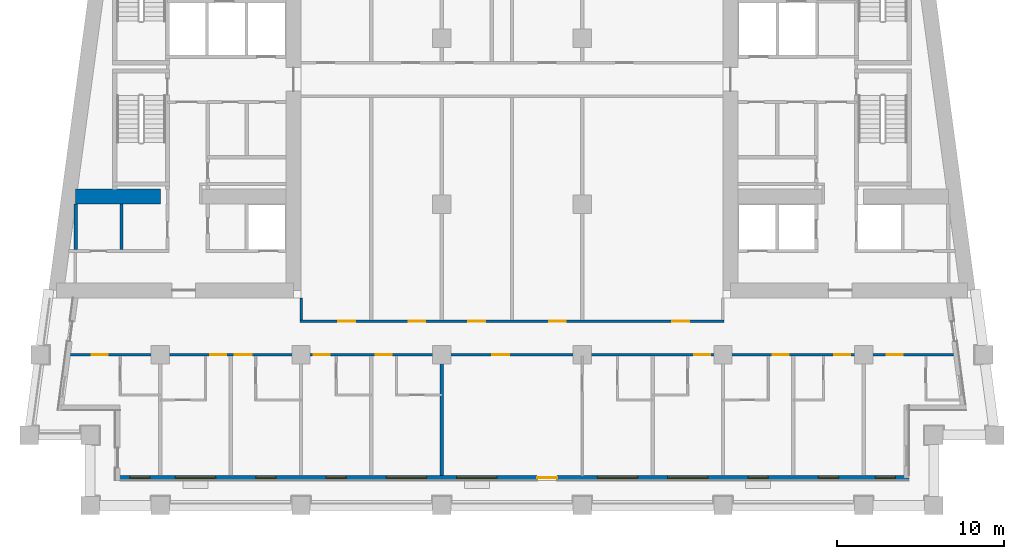
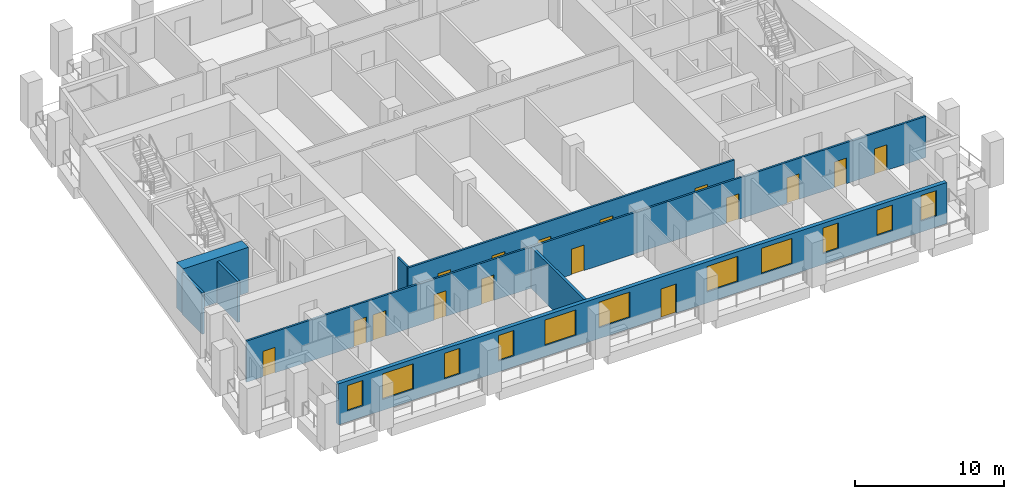
# One storey, part 3 of 13: 16 doors, 11 windows, 8 walls, 27 openings.
"""IFC4 building model written with IfcOpenShell, lengths in metres."""

from ifc_helpers import new_model, si_unit, direction, frame, frame_2d, origin, place, context, subcontext, project, spatial, rectangle, extrude, material, layer, layer_set, type_object, element, fill, save


model = new_model("IFC4")

# Units and contexts
model_context = context("Model", 3, precision=1e-05, world=origin(), true_north=direction((0.0, 1.0)))
body_context = subcontext(model_context, "Body", "Model", "MODEL_VIEW")
ifc_project = project(units=[si_unit("LENGTHUNIT", "METRE"), si_unit("AREAUNIT", "SQUARE_METRE"), si_unit("VOLUMEUNIT", "CUBIC_METRE"), si_unit("PLANEANGLEUNIT", "RADIAN"), si_unit("MASSUNIT", "GRAM", prefix="KILO")], contexts=[model_context])

# Site, building, storey
site_placement = place(None, origin())
site = spatial("IfcSite", under=ifc_project, at=site_placement, CompositionType="ELEMENT")
building_placement = place(site_placement, origin())
building = spatial("IfcBuilding", under=site, at=building_placement, Name="Candeia Pilgrim Tower and Theatre", CompositionType="ELEMENT")
storey_placement = place(building_placement, frame((0.0, 0.0, 177.39990234375)))
storey = spatial("IfcBuildingStorey", under=building, at=storey_placement, Name="L42", CompositionType="ELEMENT", Elevation=177.39990234375)

# Wall
ifc_material_1 = material(Name="Concrete C60/75", Category="concrete")
ifc_layer_1 = layer(ifc_material_1, 0.89990234375)
ifc_layer_set_1 = layer_set([ifc_layer_1], Name="Core wall 900 C60/75")
wall_type_1 = type_object("IfcWallType", Name="Core wall 900 C60/75", PredefinedType="SHEAR", material=ifc_layer_set_1)
wall_1_placement = place(storey_placement, frame((87.322998046875, 116.449951171875, 0.0), z_axis=(0.0, 0.0, 1.0), x_axis=(1.0, 0.0, 0.0)))
element("IfcWall", 1, at=wall_1_placement, inside=storey, type_object=wall_type_1, Name="Core wall W5", PredefinedType="SHEAR", context=body_context, shape_type="SweptSolid", body=[
    extrude(rectangle(XDim=5.076904296875, YDim=0.89990234375, at=frame_2d((2.53857421875, 0.0))), origin(), (0.0, 0.0, 1.0), 3.7001953125),
])

# Wall, openings, door, windows
ifc_material_2 = material(Name="Ceramic block masonry", Category="masonry")
ifc_layer_2 = layer(ifc_material_2, 0.300048828125)
ifc_layer_set_2 = layer_set([ifc_layer_2], Name="EW1 glazing-line wall 300")
wall_type_2 = type_object("IfcWallType", Name="EW1 glazing-line wall 300", PredefinedType="SOLIDWALL", material=ifc_layer_set_2)
wall_2_placement = place(storey_placement, frame((89.85009765625, 99.64990234375, 0.0), z_axis=(0.0, 0.0, 1.0), x_axis=(1.0, 0.0, 0.0)))
wall_2 = element("IfcWall", 2, at=wall_2_placement, inside=storey, type_object=wall_type_2, Name="External wall L42-0.0", PredefinedType="SOLIDWALL", context=body_context, shape_type="SweptSolid", body=[
    extrude(rectangle(XDim=47.25, YDim=0.300048828125, at=frame_2d((23.625, 0.0))), origin(), (0.0, 0.0, 1.0), 3.380126953125),
])
opening_1_placement = place(wall_2_placement, frame((0.72509765625, 0.0, 0.89990234375)))
opening_1 = element("IfcOpeningElement", 3, at=opening_1_placement, cuts=wall_2, Name="Opening W-B", PredefinedType="OPENING", context=body_context, shape_type="SweptSolid", body=[
    extrude(rectangle(XDim=1.199951171875, YDim=2.10009765625, at=frame_2d((0.60009765625, 1.050048828125))), frame((0.0, 0.16015625, 0.0), z_axis=(0.0, -1.0, 0.0), x_axis=(1.0, 0.0, 0.0)), (0.0, 0.0, 1.0), 0.320068359375),
])
opening_2_placement = place(wall_2_placement, frame((3.449951171875, 0.0, 0.89990234375)))
opening_2 = element("IfcOpeningElement", 4, at=opening_2_placement, cuts=wall_2, Name="Opening W-A", PredefinedType="OPENING", context=body_context, shape_type="SweptSolid", body=[
    extrude(rectangle(XDim=2.39990234375, YDim=2.10009765625, at=frame_2d((1.199951171875, 1.050048828125))), frame((0.0, 0.16015625, 0.0), z_axis=(0.0, -1.0, 0.0), x_axis=(1.0, 0.0, 0.0)), (0.0, 0.0, 1.0), 0.320068359375),
])
opening_3_placement = place(wall_2_placement, frame((8.25, 0.0, 0.89990234375)))
opening_3 = element("IfcOpeningElement", 5, at=opening_3_placement, cuts=wall_2, Name="Opening W-B", PredefinedType="OPENING", context=body_context, shape_type="SweptSolid", body=[
    extrude(rectangle(XDim=1.199951171875, YDim=2.10009765625, at=frame_2d((0.60009765625, 1.050048828125))), frame((0.0, 0.16015625, 0.0), z_axis=(0.0, -1.0, 0.0), x_axis=(1.0, 0.0, 0.0)), (0.0, 0.0, 1.0), 0.320068359375),
])
opening_4_placement = place(wall_2_placement, frame((12.449951171875, 0.0, 0.89990234375)))
opening_4 = element("IfcOpeningElement", 6, at=opening_4_placement, cuts=wall_2, Name="Opening W-B", PredefinedType="OPENING", context=body_context, shape_type="SweptSolid", body=[
    extrude(rectangle(XDim=1.199951171875, YDim=2.10009765625, at=frame_2d((0.60009765625, 1.050048828125))), frame((0.0, 0.16015625, 0.0), z_axis=(0.0, -1.0, 0.0), x_axis=(1.0, 0.0, 0.0)), (0.0, 0.0, 1.0), 0.320068359375),
])
opening_5_placement = place(wall_2_placement, frame((16.050048828125, 0.0, 0.89990234375)))
opening_5 = element("IfcOpeningElement", 7, at=opening_5_placement, cuts=wall_2, Name="Opening W-A", PredefinedType="OPENING", context=body_context, shape_type="SweptSolid", body=[
    extrude(rectangle(XDim=2.39990234375, YDim=2.10009765625, at=frame_2d((1.199951171875, 1.050048828125))), frame((0.0, 0.16015625, 0.0), z_axis=(0.0, -1.0, 0.0), x_axis=(1.0, 0.0, 0.0)), (0.0, 0.0, 1.0), 0.320068359375),
])
opening_6_placement = place(wall_2_placement, frame((20.25, 0.0, 0.89990234375)))
opening_6 = element("IfcOpeningElement", 8, at=opening_6_placement, cuts=wall_2, Name="Opening W-A", PredefinedType="OPENING", context=body_context, shape_type="SweptSolid", body=[
    extrude(rectangle(XDim=2.39990234375, YDim=2.10009765625, at=frame_2d((1.199951171875, 1.050048828125))), frame((0.0, 0.16015625, 0.0), z_axis=(0.0, -1.0, 0.0), x_axis=(1.0, 0.0, 0.0)), (0.0, 0.0, 1.0), 0.320068359375),
])
opening_7_placement = place(wall_2_placement, frame((25.050048828125, 0.0, 0.0)))
opening_7 = element("IfcOpeningElement", 9, at=opening_7_placement, cuts=wall_2, Name="Opening L42-ED402", PredefinedType="OPENING", context=body_context, shape_type="SweptSolid", body=[
    extrude(rectangle(XDim=1.199951171875, YDim=2.39990234375, at=frame_2d((0.60009765625, 1.199951171875))), frame((0.0, 0.16015625, 0.0), z_axis=(0.0, -1.0, 0.0), x_axis=(1.0, 0.0, 0.0)), (0.0, 0.0, 1.0), 0.320068359375),
])
opening_8_placement = place(wall_2_placement, frame((28.64990234375, 0.0, 0.89990234375)))
opening_8 = element("IfcOpeningElement", 10, at=opening_8_placement, cuts=wall_2, Name="Opening W-A", PredefinedType="OPENING", context=body_context, shape_type="SweptSolid", body=[
    extrude(rectangle(XDim=2.39990234375, YDim=2.10009765625, at=frame_2d((1.199951171875, 1.050048828125))), frame((0.0, 0.16015625, 0.0), z_axis=(0.0, -1.0, 0.0), x_axis=(1.0, 0.0, 0.0)), (0.0, 0.0, 1.0), 0.320068359375),
])
opening_9_placement = place(wall_2_placement, frame((32.85009765625, 0.0, 0.89990234375)))
opening_9 = element("IfcOpeningElement", 11, at=opening_9_placement, cuts=wall_2, Name="Opening W-A", PredefinedType="OPENING", context=body_context, shape_type="SweptSolid", body=[
    extrude(rectangle(XDim=2.39990234375, YDim=2.10009765625, at=frame_2d((1.199951171875, 1.050048828125))), frame((0.0, 0.16015625, 0.0), z_axis=(0.0, -1.0, 0.0), x_axis=(1.0, 0.0, 0.0)), (0.0, 0.0, 1.0), 0.320068359375),
])
opening_10_placement = place(wall_2_placement, frame((37.64990234375, 0.0, 0.89990234375)))
opening_10 = element("IfcOpeningElement", 12, at=opening_10_placement, cuts=wall_2, Name="Opening W-B", PredefinedType="OPENING", context=body_context, shape_type="SweptSolid", body=[
    extrude(rectangle(XDim=1.199951171875, YDim=2.10009765625, at=frame_2d((0.60009765625, 1.050048828125))), frame((0.0, 0.16015625, 0.0), z_axis=(0.0, -1.0, 0.0), x_axis=(1.0, 0.0, 0.0)), (0.0, 0.0, 1.0), 0.320068359375),
])
opening_11_placement = place(wall_2_placement, frame((41.85009765625, 0.0, 0.89990234375)))
opening_11 = element("IfcOpeningElement", 13, at=opening_11_placement, cuts=wall_2, Name="Opening W-B", PredefinedType="OPENING", context=body_context, shape_type="SweptSolid", body=[
    extrude(rectangle(XDim=1.199951171875, YDim=2.10009765625, at=frame_2d((0.60009765625, 1.050048828125))), frame((0.0, 0.16015625, 0.0), z_axis=(0.0, -1.0, 0.0), x_axis=(1.0, 0.0, 0.0)), (0.0, 0.0, 1.0), 0.320068359375),
])
opening_12_placement = place(wall_2_placement, frame((45.25, 0.0, 0.89990234375)))
opening_12 = element("IfcOpeningElement", 14, at=opening_12_placement, cuts=wall_2, Name="Opening W-B", PredefinedType="OPENING", context=body_context, shape_type="SweptSolid", body=[
    extrude(rectangle(XDim=1.199951171875, YDim=2.10009765625, at=frame_2d((0.60009765625, 1.050048828125))), frame((0.0, 0.16015625, 0.0), z_axis=(0.0, -1.0, 0.0), x_axis=(1.0, 0.0, 0.0)), (0.0, 0.0, 1.0), 0.320068359375),
])
ifc_material_3 = material(Name="Aluminium framed glazed door", Category="aluminium")
door_type_1 = type_object("IfcDoorType", Name="Loggia door 1200x2400", OperationType="DOUBLE_DOOR_SINGLE_SWING", PredefinedType="DOOR", material=ifc_material_3)
door_1_placement = place(opening_7_placement, origin())
door_1 = element("IfcDoor", 15, at=door_1_placement, inside=storey, type_object=door_type_1, Name="Loggia door L42-ED402", OperationType="DOUBLE_DOOR_SINGLE_SWING", OverallHeight=2.39990234375, OverallWidth=1.199951171875, PredefinedType="DOOR", context=body_context, shape_type="SweptSolid", body=[
    extrude(rectangle(XDim=1.199951171875, YDim=2.39990234375, at=frame_2d((0.60009765625, 1.199951171875))), frame((0.0, 0.02490234375, 0.0), z_axis=(0.0, -1.0, 0.0), x_axis=(1.0, 0.0, 0.0)), (0.0, 0.0, 1.0), 0.050048828125),
])
fill(opening_7, door_1)
ifc_material_4 = material(Name="Aluminium framed double glazing", Category="aluminium")
window_type_1 = type_object("IfcWindowType", Name="W-A window 2400x2100", PartitioningType="DOUBLE_PANEL_VERTICAL", PredefinedType="WINDOW", material=ifc_material_4)
window_1_placement = place(opening_2_placement, origin())
window_1 = element("IfcWindow", 16, at=window_1_placement, inside=storey, type_object=window_type_1, Name="Window W-A L42", OverallHeight=2.10009765625, OverallWidth=2.39990234375, PartitioningType="SINGLE_PANEL", PredefinedType="WINDOW", context=body_context, shape_type="SweptSolid", body=[
    extrude(rectangle(XDim=2.39990234375, YDim=2.10009765625, at=frame_2d((1.199951171875, 1.050048828125))), frame((0.0, 0.030029296875, 0.0), z_axis=(0.0, -1.0, 0.0), x_axis=(1.0, 0.0, 0.0)), (0.0, 0.0, 1.0), 0.06005859375),
])
fill(opening_2, window_1)
window_2_placement = place(opening_5_placement, origin())
window_2 = element("IfcWindow", 17, at=window_2_placement, inside=storey, type_object=window_type_1, Name="Window W-A L42", OverallHeight=2.10009765625, OverallWidth=2.39990234375, PartitioningType="SINGLE_PANEL", PredefinedType="WINDOW", context=body_context, shape_type="SweptSolid", body=[
    extrude(rectangle(XDim=2.39990234375, YDim=2.10009765625, at=frame_2d((1.199951171875, 1.050048828125))), frame((0.0, 0.030029296875, 0.0), z_axis=(0.0, -1.0, 0.0), x_axis=(1.0, 0.0, 0.0)), (0.0, 0.0, 1.0), 0.06005859375),
])
fill(opening_5, window_2)
window_3_placement = place(opening_6_placement, origin())
window_3 = element("IfcWindow", 18, at=window_3_placement, inside=storey, type_object=window_type_1, Name="Window W-A L42", OverallHeight=2.10009765625, OverallWidth=2.39990234375, PartitioningType="SINGLE_PANEL", PredefinedType="WINDOW", context=body_context, shape_type="SweptSolid", body=[
    extrude(rectangle(XDim=2.39990234375, YDim=2.10009765625, at=frame_2d((1.199951171875, 1.050048828125))), frame((0.0, 0.030029296875, 0.0), z_axis=(0.0, -1.0, 0.0), x_axis=(1.0, 0.0, 0.0)), (0.0, 0.0, 1.0), 0.06005859375),
])
fill(opening_6, window_3)
window_4_placement = place(opening_8_placement, origin())
window_4 = element("IfcWindow", 19, at=window_4_placement, inside=storey, type_object=window_type_1, Name="Window W-A L42", OverallHeight=2.10009765625, OverallWidth=2.39990234375, PartitioningType="SINGLE_PANEL", PredefinedType="WINDOW", context=body_context, shape_type="SweptSolid", body=[
    extrude(rectangle(XDim=2.39990234375, YDim=2.10009765625, at=frame_2d((1.199951171875, 1.050048828125))), frame((0.0, 0.030029296875, 0.0), z_axis=(0.0, -1.0, 0.0), x_axis=(1.0, 0.0, 0.0)), (0.0, 0.0, 1.0), 0.06005859375),
])
fill(opening_8, window_4)
window_5_placement = place(opening_9_placement, origin())
window_5 = element("IfcWindow", 20, at=window_5_placement, inside=storey, type_object=window_type_1, Name="Window W-A L42", OverallHeight=2.10009765625, OverallWidth=2.39990234375, PartitioningType="SINGLE_PANEL", PredefinedType="WINDOW", context=body_context, shape_type="SweptSolid", body=[
    extrude(rectangle(XDim=2.39990234375, YDim=2.10009765625, at=frame_2d((1.199951171875, 1.050048828125))), frame((0.0, 0.030029296875, 0.0), z_axis=(0.0, -1.0, 0.0), x_axis=(1.0, 0.0, 0.0)), (0.0, 0.0, 1.0), 0.06005859375),
])
fill(opening_9, window_5)
window_type_2 = type_object("IfcWindowType", Name="W-B window 1200x2100", PartitioningType="SINGLE_PANEL", PredefinedType="WINDOW", material=ifc_material_4)
window_6_placement = place(opening_1_placement, origin())
window_6 = element("IfcWindow", 21, at=window_6_placement, inside=storey, type_object=window_type_2, Name="Window W-B L42", OverallHeight=2.10009765625, OverallWidth=1.199951171875, PartitioningType="SINGLE_PANEL", PredefinedType="WINDOW", context=body_context, shape_type="SweptSolid", body=[
    extrude(rectangle(XDim=1.199951171875, YDim=2.10009765625, at=frame_2d((0.60009765625, 1.050048828125))), frame((0.0, 0.030029296875, 0.0), z_axis=(0.0, -1.0, 0.0), x_axis=(1.0, 0.0, 0.0)), (0.0, 0.0, 1.0), 0.06005859375),
])
fill(opening_1, window_6)
window_7_placement = place(opening_3_placement, origin())
window_7 = element("IfcWindow", 22, at=window_7_placement, inside=storey, type_object=window_type_2, Name="Window W-B L42", OverallHeight=2.10009765625, OverallWidth=1.199951171875, PartitioningType="SINGLE_PANEL", PredefinedType="WINDOW", context=body_context, shape_type="SweptSolid", body=[
    extrude(rectangle(XDim=1.199951171875, YDim=2.10009765625, at=frame_2d((0.60009765625, 1.050048828125))), frame((0.0, 0.030029296875, 0.0), z_axis=(0.0, -1.0, 0.0), x_axis=(1.0, 0.0, 0.0)), (0.0, 0.0, 1.0), 0.06005859375),
])
fill(opening_3, window_7)
window_8_placement = place(opening_4_placement, origin())
window_8 = element("IfcWindow", 23, at=window_8_placement, inside=storey, type_object=window_type_2, Name="Window W-B L42", OverallHeight=2.10009765625, OverallWidth=1.199951171875, PartitioningType="SINGLE_PANEL", PredefinedType="WINDOW", context=body_context, shape_type="SweptSolid", body=[
    extrude(rectangle(XDim=1.199951171875, YDim=2.10009765625, at=frame_2d((0.60009765625, 1.050048828125))), frame((0.0, 0.030029296875, 0.0), z_axis=(0.0, -1.0, 0.0), x_axis=(1.0, 0.0, 0.0)), (0.0, 0.0, 1.0), 0.06005859375),
])
fill(opening_4, window_8)
window_9_placement = place(opening_10_placement, origin())
window_9 = element("IfcWindow", 24, at=window_9_placement, inside=storey, type_object=window_type_2, Name="Window W-B L42", OverallHeight=2.10009765625, OverallWidth=1.199951171875, PartitioningType="SINGLE_PANEL", PredefinedType="WINDOW", context=body_context, shape_type="SweptSolid", body=[
    extrude(rectangle(XDim=1.199951171875, YDim=2.10009765625, at=frame_2d((0.60009765625, 1.050048828125))), frame((0.0, 0.030029296875, 0.0), z_axis=(0.0, -1.0, 0.0), x_axis=(1.0, 0.0, 0.0)), (0.0, 0.0, 1.0), 0.06005859375),
])
fill(opening_10, window_9)
window_10_placement = place(opening_11_placement, origin())
window_10 = element("IfcWindow", 25, at=window_10_placement, inside=storey, type_object=window_type_2, Name="Window W-B L42", OverallHeight=2.10009765625, OverallWidth=1.199951171875, PartitioningType="SINGLE_PANEL", PredefinedType="WINDOW", context=body_context, shape_type="SweptSolid", body=[
    extrude(rectangle(XDim=1.199951171875, YDim=2.10009765625, at=frame_2d((0.60009765625, 1.050048828125))), frame((0.0, 0.030029296875, 0.0), z_axis=(0.0, -1.0, 0.0), x_axis=(1.0, 0.0, 0.0)), (0.0, 0.0, 1.0), 0.06005859375),
])
fill(opening_11, window_10)
window_11_placement = place(opening_12_placement, origin())
window_11 = element("IfcWindow", 26, at=window_11_placement, inside=storey, type_object=window_type_2, Name="Window W-B L42", OverallHeight=2.10009765625, OverallWidth=1.199951171875, PartitioningType="SINGLE_PANEL", PredefinedType="WINDOW", context=body_context, shape_type="SweptSolid", body=[
    extrude(rectangle(XDim=1.199951171875, YDim=2.10009765625, at=frame_2d((0.60009765625, 1.050048828125))), frame((0.0, 0.030029296875, 0.0), z_axis=(0.0, -1.0, 0.0), x_axis=(1.0, 0.0, 0.0)), (0.0, 0.0, 1.0), 0.06005859375),
])
fill(opening_12, window_11)

# Wall, openings, doors
ifc_material_5 = material(Name="Gypsum board partition on steel studs", Category="steel")
ifc_layer_3 = layer(ifc_material_5, 0.14990234375)
ifc_layer_set_3 = layer_set([ifc_layer_3], Name="PW-150 unit wall")
wall_type_3 = type_object("IfcWallType", Name="PW-150 unit wall", PredefinedType="PARTITIONING", material=ifc_layer_set_3)
wall_3_placement = place(storey_placement, frame((87.017578125, 107.0, 0.0), z_axis=(0.0, 0.0, 1.0), x_axis=(1.0, 0.0, 0.0)))
wall_3 = element("IfcWall", 27, at=wall_3_placement, inside=storey, type_object=wall_type_3, Name="Unit wall L42-011", PredefinedType="PARTITIONING", context=body_context, shape_type="SweptSolid", body=[
    extrude(rectangle(XDim=52.7646484375, YDim=0.14990234375, at=frame_2d((26.38232421875, 0.0))), origin(), (0.0, 0.0, 1.0), 3.380126953125),
])
opening_13_placement = place(wall_3_placement, frame((1.2763671875, 0.0, 0.0)))
opening_13 = element("IfcOpeningElement", 28, at=opening_13_placement, cuts=wall_3, Name="Opening L42-D017", PredefinedType="OPENING", context=body_context, shape_type="SweptSolid", body=[
    extrude(rectangle(XDim=0.949951171875, YDim=2.10009765625, at=frame_2d((0.47509765625, 1.050048828125))), frame((0.0, 0.0849609375, 0.0), z_axis=(0.0, -1.0, 0.0), x_axis=(1.0, 0.0, 0.0)), (0.0, 0.0, 1.0), 0.169921875),
])
opening_14_placement = place(wall_3_placement, frame((8.357421875, 0.0, 0.0)))
opening_14 = element("IfcOpeningElement", 29, at=opening_14_placement, cuts=wall_3, Name="Opening L42-D019", PredefinedType="OPENING", context=body_context, shape_type="SweptSolid", body=[
    extrude(rectangle(XDim=0.949951171875, YDim=2.10009765625, at=frame_2d((0.47509765625, 1.050048828125))), frame((0.0, 0.0849609375, 0.0), z_axis=(0.0, -1.0, 0.0), x_axis=(1.0, 0.0, 0.0)), (0.0, 0.0, 1.0), 0.169921875),
])
opening_15_placement = place(wall_3_placement, frame((9.832275390625, 0.0, 0.0)))
opening_15 = element("IfcOpeningElement", 30, at=opening_15_placement, cuts=wall_3, Name="Opening L42-D021", PredefinedType="OPENING", context=body_context, shape_type="SweptSolid", body=[
    extrude(rectangle(XDim=1.0, YDim=2.10009765625, at=frame_2d((0.5, 1.050048828125))), frame((0.0, 0.0849609375, 0.0), z_axis=(0.0, -1.0, 0.0), x_axis=(1.0, 0.0, 0.0)), (0.0, 0.0, 1.0), 0.169921875),
])
opening_16_placement = place(wall_3_placement, frame((14.54736328125, 0.0, 0.0)))
opening_16 = element("IfcOpeningElement", 31, at=opening_16_placement, cuts=wall_3, Name="Opening L42-D023", PredefinedType="OPENING", context=body_context, shape_type="SweptSolid", body=[
    extrude(rectangle(XDim=0.949951171875, YDim=2.10009765625, at=frame_2d((0.47509765625, 1.050048828125))), frame((0.0, 0.0849609375, 0.0), z_axis=(0.0, -1.0, 0.0), x_axis=(1.0, 0.0, 0.0)), (0.0, 0.0, 1.0), 0.169921875),
])
opening_17_placement = place(wall_3_placement, frame((18.25732421875, 0.0, 0.0)))
opening_17 = element("IfcOpeningElement", 32, at=opening_17_placement, cuts=wall_3, Name="Opening L42-D025", PredefinedType="OPENING", context=body_context, shape_type="SweptSolid", body=[
    extrude(rectangle(XDim=0.949951171875, YDim=2.10009765625, at=frame_2d((0.47509765625, 1.050048828125))), frame((0.0, 0.0849609375, 0.0), z_axis=(0.0, -1.0, 0.0), x_axis=(1.0, 0.0, 0.0)), (0.0, 0.0, 1.0), 0.169921875),
])
opening_18_placement = place(wall_3_placement, frame((25.21240234375, 0.0, 0.0)))
opening_18 = element("IfcOpeningElement", 33, at=opening_18_placement, cuts=wall_3, Name="Opening L42-D027", PredefinedType="OPENING", context=body_context, shape_type="SweptSolid", body=[
    extrude(rectangle(XDim=1.0, YDim=2.10009765625, at=frame_2d((0.5, 1.050048828125))), frame((0.0, 0.0849609375, 0.0), z_axis=(0.0, -1.0, 0.0), x_axis=(1.0, 0.0, 0.0)), (0.0, 0.0, 1.0), 0.169921875),
])
opening_19_placement = place(wall_3_placement, frame((37.267333984375, 0.0, 0.0)))
opening_19 = element("IfcOpeningElement", 34, at=opening_19_placement, cuts=wall_3, Name="Opening L42-D030", PredefinedType="OPENING", context=body_context, shape_type="SweptSolid", body=[
    extrude(rectangle(XDim=0.949951171875, YDim=2.10009765625, at=frame_2d((0.47509765625, 1.050048828125))), frame((0.0, 0.0849609375, 0.0), z_axis=(0.0, -1.0, 0.0), x_axis=(1.0, 0.0, 0.0)), (0.0, 0.0, 1.0), 0.169921875),
])
opening_20_placement = place(wall_3_placement, frame((41.957275390625, 0.0, 0.0)))
opening_20 = element("IfcOpeningElement", 35, at=opening_20_placement, cuts=wall_3, Name="Opening L42-D032", PredefinedType="OPENING", context=body_context, shape_type="SweptSolid", body=[
    extrude(rectangle(XDim=0.949951171875, YDim=2.10009765625, at=frame_2d((0.47509765625, 1.050048828125))), frame((0.0, 0.0849609375, 0.0), z_axis=(0.0, -1.0, 0.0), x_axis=(1.0, 0.0, 0.0)), (0.0, 0.0, 1.0), 0.169921875),
])
opening_21_placement = place(wall_3_placement, frame((45.63232421875, 0.0, 0.0)))
opening_21 = element("IfcOpeningElement", 36, at=opening_21_placement, cuts=wall_3, Name="Opening L42-D034", PredefinedType="OPENING", context=body_context, shape_type="SweptSolid", body=[
    extrude(rectangle(XDim=0.949951171875, YDim=2.10009765625, at=frame_2d((0.47509765625, 1.050048828125))), frame((0.0, 0.0849609375, 0.0), z_axis=(0.0, -1.0, 0.0), x_axis=(1.0, 0.0, 0.0)), (0.0, 0.0, 1.0), 0.169921875),
])
opening_22_placement = place(wall_3_placement, frame((48.767333984375, 0.0, 0.0)))
opening_22 = element("IfcOpeningElement", 37, at=opening_22_placement, cuts=wall_3, Name="Opening L42-D036", PredefinedType="OPENING", context=body_context, shape_type="SweptSolid", body=[
    extrude(rectangle(XDim=0.949951171875, YDim=2.10009765625, at=frame_2d((0.47509765625, 1.050048828125))), frame((0.0, 0.0849609375, 0.0), z_axis=(0.0, -1.0, 0.0), x_axis=(1.0, 0.0, 0.0)), (0.0, 0.0, 1.0), 0.169921875),
])
ifc_material_6 = material(Name="Steel fire door set", Category="steel")
door_type_2 = type_object("IfcDoorType", Name="D-1000-FD30S", OperationType="NOTDEFINED", PredefinedType="DOOR", material=ifc_material_6)
door_2_placement = place(opening_15_placement, origin())
door_2 = element("IfcDoor", 38, at=door_2_placement, inside=storey, type_object=door_type_2, Name="Door L42-D021", OperationType="SINGLE_SWING_LEFT", OverallHeight=2.10009765625, OverallWidth=1.0, PredefinedType="DOOR", context=body_context, shape_type="SweptSolid", body=[
    extrude(rectangle(XDim=1.0, YDim=2.10009765625, at=frame_2d((0.5, 1.050048828125))), frame((0.0, 0.02490234375, 0.0), z_axis=(0.0, -1.0, 0.0), x_axis=(1.0, 0.0, 0.0)), (0.0, 0.0, 1.0), 0.050048828125),
])
fill(opening_15, door_2)
door_3_placement = place(opening_18_placement, origin())
door_3 = element("IfcDoor", 39, at=door_3_placement, inside=storey, type_object=door_type_2, Name="Door L42-D027", OperationType="SINGLE_SWING_LEFT", OverallHeight=2.10009765625, OverallWidth=1.0, PredefinedType="DOOR", context=body_context, shape_type="SweptSolid", body=[
    extrude(rectangle(XDim=1.0, YDim=2.10009765625, at=frame_2d((0.5, 1.050048828125))), frame((0.0, 0.02490234375, 0.0), z_axis=(0.0, -1.0, 0.0), x_axis=(1.0, 0.0, 0.0)), (0.0, 0.0, 1.0), 0.050048828125),
])
fill(opening_18, door_3)
door_type_3 = type_object("IfcDoorType", Name="D-950-FD30S", OperationType="NOTDEFINED", PredefinedType="DOOR", material=ifc_material_6)
door_4_placement = place(opening_13_placement, origin())
door_4 = element("IfcDoor", 40, at=door_4_placement, inside=storey, type_object=door_type_3, Name="Door L42-D017", OperationType="SINGLE_SWING_LEFT", OverallHeight=2.10009765625, OverallWidth=0.949951171875, PredefinedType="DOOR", context=body_context, shape_type="SweptSolid", body=[
    extrude(rectangle(XDim=0.949951171875, YDim=2.10009765625, at=frame_2d((0.47509765625, 1.050048828125))), frame((0.0, 0.02490234375, 0.0), z_axis=(0.0, -1.0, 0.0), x_axis=(1.0, 0.0, 0.0)), (0.0, 0.0, 1.0), 0.050048828125),
])
fill(opening_13, door_4)
door_5_placement = place(opening_14_placement, origin())
door_5 = element("IfcDoor", 41, at=door_5_placement, inside=storey, type_object=door_type_3, Name="Door L42-D019", OperationType="SINGLE_SWING_LEFT", OverallHeight=2.10009765625, OverallWidth=0.949951171875, PredefinedType="DOOR", context=body_context, shape_type="SweptSolid", body=[
    extrude(rectangle(XDim=0.949951171875, YDim=2.10009765625, at=frame_2d((0.47509765625, 1.050048828125))), frame((0.0, 0.02490234375, 0.0), z_axis=(0.0, -1.0, 0.0), x_axis=(1.0, 0.0, 0.0)), (0.0, 0.0, 1.0), 0.050048828125),
])
fill(opening_14, door_5)
door_6_placement = place(opening_16_placement, origin())
door_6 = element("IfcDoor", 42, at=door_6_placement, inside=storey, type_object=door_type_3, Name="Door L42-D023", OperationType="SINGLE_SWING_LEFT", OverallHeight=2.10009765625, OverallWidth=0.949951171875, PredefinedType="DOOR", context=body_context, shape_type="SweptSolid", body=[
    extrude(rectangle(XDim=0.949951171875, YDim=2.10009765625, at=frame_2d((0.47509765625, 1.050048828125))), frame((0.0, 0.02490234375, 0.0), z_axis=(0.0, -1.0, 0.0), x_axis=(1.0, 0.0, 0.0)), (0.0, 0.0, 1.0), 0.050048828125),
])
fill(opening_16, door_6)
door_7_placement = place(opening_17_placement, origin())
door_7 = element("IfcDoor", 43, at=door_7_placement, inside=storey, type_object=door_type_3, Name="Door L42-D025", OperationType="SINGLE_SWING_LEFT", OverallHeight=2.10009765625, OverallWidth=0.949951171875, PredefinedType="DOOR", context=body_context, shape_type="SweptSolid", body=[
    extrude(rectangle(XDim=0.949951171875, YDim=2.10009765625, at=frame_2d((0.47509765625, 1.050048828125))), frame((0.0, 0.02490234375, 0.0), z_axis=(0.0, -1.0, 0.0), x_axis=(1.0, 0.0, 0.0)), (0.0, 0.0, 1.0), 0.050048828125),
])
fill(opening_17, door_7)
door_8_placement = place(opening_19_placement, origin())
door_8 = element("IfcDoor", 44, at=door_8_placement, inside=storey, type_object=door_type_3, Name="Door L42-D030", OperationType="SINGLE_SWING_RIGHT", OverallHeight=2.10009765625, OverallWidth=0.949951171875, PredefinedType="DOOR", context=body_context, shape_type="SweptSolid", body=[
    extrude(rectangle(XDim=0.949951171875, YDim=2.10009765625, at=frame_2d((0.47509765625, 1.050048828125))), frame((0.0, 0.02490234375, 0.0), z_axis=(0.0, -1.0, 0.0), x_axis=(1.0, 0.0, 0.0)), (0.0, 0.0, 1.0), 0.050048828125),
])
fill(opening_19, door_8)
door_9_placement = place(opening_20_placement, origin())
door_9 = element("IfcDoor", 45, at=door_9_placement, inside=storey, type_object=door_type_3, Name="Door L42-D032", OperationType="SINGLE_SWING_RIGHT", OverallHeight=2.10009765625, OverallWidth=0.949951171875, PredefinedType="DOOR", context=body_context, shape_type="SweptSolid", body=[
    extrude(rectangle(XDim=0.949951171875, YDim=2.10009765625, at=frame_2d((0.47509765625, 1.050048828125))), frame((0.0, 0.02490234375, 0.0), z_axis=(0.0, -1.0, 0.0), x_axis=(1.0, 0.0, 0.0)), (0.0, 0.0, 1.0), 0.050048828125),
])
fill(opening_20, door_9)
door_10_placement = place(opening_21_placement, origin())
door_10 = element("IfcDoor", 46, at=door_10_placement, inside=storey, type_object=door_type_3, Name="Door L42-D034", OperationType="SINGLE_SWING_RIGHT", OverallHeight=2.10009765625, OverallWidth=0.949951171875, PredefinedType="DOOR", context=body_context, shape_type="SweptSolid", body=[
    extrude(rectangle(XDim=0.949951171875, YDim=2.10009765625, at=frame_2d((0.47509765625, 1.050048828125))), frame((0.0, 0.02490234375, 0.0), z_axis=(0.0, -1.0, 0.0), x_axis=(1.0, 0.0, 0.0)), (0.0, 0.0, 1.0), 0.050048828125),
])
fill(opening_21, door_10)
door_11_placement = place(opening_22_placement, origin())
door_11 = element("IfcDoor", 47, at=door_11_placement, inside=storey, type_object=door_type_3, Name="Door L42-D036", OperationType="SINGLE_SWING_RIGHT", OverallHeight=2.10009765625, OverallWidth=0.949951171875, PredefinedType="DOOR", context=body_context, shape_type="SweptSolid", body=[
    extrude(rectangle(XDim=0.949951171875, YDim=2.10009765625, at=frame_2d((0.47509765625, 1.050048828125))), frame((0.0, 0.02490234375, 0.0), z_axis=(0.0, -1.0, 0.0), x_axis=(1.0, 0.0, 0.0)), (0.0, 0.0, 1.0), 0.050048828125),
])
fill(opening_22, door_11)

wall_4_placement = place(storey_placement, frame((100.72509765625, 109.0, 0.0), z_axis=(0.0, 0.0, 1.0), x_axis=(1.0, 0.0, 0.0)))
wall_4 = element("IfcWall", 48, at=wall_4_placement, inside=storey, type_object=wall_type_3, Name="Unit wall L42-012", PredefinedType="PARTITIONING", context=body_context, shape_type="SweptSolid", body=[
    extrude(rectangle(XDim=25.349853515625, YDim=0.14990234375, at=frame_2d((12.6748046875, 0.0))), origin(), (0.0, 0.0, 1.0), 3.380126953125),
])
opening_23_placement = place(wall_4_placement, frame((2.300048828125, 0.0, 0.0)))
opening_23 = element("IfcOpeningElement", 49, at=opening_23_placement, cuts=wall_4, Name="Opening L42-D052", PredefinedType="OPENING", context=body_context, shape_type="SweptSolid", body=[
    extrude(rectangle(XDim=1.0, YDim=2.10009765625, at=frame_2d((0.5, 1.050048828125))), frame((0.0, 0.0849609375, 0.0), z_axis=(0.0, -1.0, 0.0), x_axis=(1.0, 0.0, 0.0)), (0.0, 0.0, 1.0), 0.169921875),
])
opening_24_placement = place(wall_4_placement, frame((6.5, 0.0, 0.0)))
opening_24 = element("IfcOpeningElement", 50, at=opening_24_placement, cuts=wall_4, Name="Opening L42-D053", PredefinedType="OPENING", context=body_context, shape_type="SweptSolid", body=[
    extrude(rectangle(XDim=1.0, YDim=2.10009765625, at=frame_2d((0.5, 1.050048828125))), frame((0.0, 0.0849609375, 0.0), z_axis=(0.0, -1.0, 0.0), x_axis=(1.0, 0.0, 0.0)), (0.0, 0.0, 1.0), 0.169921875),
])
opening_25_placement = place(wall_4_placement, frame((10.074951171875, 0.0, 0.0)))
opening_25 = element("IfcOpeningElement", 51, at=opening_25_placement, cuts=wall_4, Name="Opening L42-D054", PredefinedType="OPENING", context=body_context, shape_type="SweptSolid", body=[
    extrude(rectangle(XDim=1.0, YDim=2.10009765625, at=frame_2d((0.5, 1.050048828125))), frame((0.0, 0.0849609375, 0.0), z_axis=(0.0, -1.0, 0.0), x_axis=(1.0, 0.0, 0.0)), (0.0, 0.0, 1.0), 0.169921875),
])
opening_26_placement = place(wall_4_placement, frame((14.89990234375, 0.0, 0.0)))
opening_26 = element("IfcOpeningElement", 52, at=opening_26_placement, cuts=wall_4, Name="Opening L42-D055", PredefinedType="OPENING", context=body_context, shape_type="SweptSolid", body=[
    extrude(rectangle(XDim=1.0, YDim=2.10009765625, at=frame_2d((0.5, 1.050048828125))), frame((0.0, 0.0849609375, 0.0), z_axis=(0.0, -1.0, 0.0), x_axis=(1.0, 0.0, 0.0)), (0.0, 0.0, 1.0), 0.169921875),
])
opening_27_placement = place(wall_4_placement, frame((22.25, 0.0, 0.0)))
opening_27 = element("IfcOpeningElement", 53, at=opening_27_placement, cuts=wall_4, Name="Opening L42-D056", PredefinedType="OPENING", context=body_context, shape_type="SweptSolid", body=[
    extrude(rectangle(XDim=1.0, YDim=2.10009765625, at=frame_2d((0.5, 1.050048828125))), frame((0.0, 0.0849609375, 0.0), z_axis=(0.0, -1.0, 0.0), x_axis=(1.0, 0.0, 0.0)), (0.0, 0.0, 1.0), 0.169921875),
])
door_12_placement = place(opening_23_placement, origin())
door_12 = element("IfcDoor", 54, at=door_12_placement, inside=storey, type_object=door_type_2, Name="Door L42-D052", OperationType="SINGLE_SWING_RIGHT", OverallHeight=2.10009765625, OverallWidth=1.0, PredefinedType="DOOR", context=body_context, shape_type="SweptSolid", body=[
    extrude(rectangle(XDim=1.0, YDim=2.10009765625, at=frame_2d((0.5, 1.050048828125))), frame((0.0, 0.02490234375, 0.0), z_axis=(0.0, -1.0, 0.0), x_axis=(1.0, 0.0, 0.0)), (0.0, 0.0, 1.0), 0.050048828125),
])
fill(opening_23, door_12)
door_13_placement = place(opening_24_placement, origin())
door_13 = element("IfcDoor", 55, at=door_13_placement, inside=storey, type_object=door_type_2, Name="Door L42-D053", OperationType="SINGLE_SWING_LEFT", OverallHeight=2.10009765625, OverallWidth=1.0, PredefinedType="DOOR", context=body_context, shape_type="SweptSolid", body=[
    extrude(rectangle(XDim=1.0, YDim=2.10009765625, at=frame_2d((0.5, 1.050048828125))), frame((0.0, 0.02490234375, 0.0), z_axis=(0.0, -1.0, 0.0), x_axis=(1.0, 0.0, 0.0)), (0.0, 0.0, 1.0), 0.050048828125),
])
fill(opening_24, door_13)
door_14_placement = place(opening_25_placement, origin())
door_14 = element("IfcDoor", 56, at=door_14_placement, inside=storey, type_object=door_type_2, Name="Door L42-D054", OperationType="SINGLE_SWING_RIGHT", OverallHeight=2.10009765625, OverallWidth=1.0, PredefinedType="DOOR", context=body_context, shape_type="SweptSolid", body=[
    extrude(rectangle(XDim=1.0, YDim=2.10009765625, at=frame_2d((0.5, 1.050048828125))), frame((0.0, 0.02490234375, 0.0), z_axis=(0.0, -1.0, 0.0), x_axis=(1.0, 0.0, 0.0)), (0.0, 0.0, 1.0), 0.050048828125),
])
fill(opening_25, door_14)
door_15_placement = place(opening_26_placement, origin())
door_15 = element("IfcDoor", 57, at=door_15_placement, inside=storey, type_object=door_type_2, Name="Door L42-D055", OperationType="SINGLE_SWING_LEFT", OverallHeight=2.10009765625, OverallWidth=1.0, PredefinedType="DOOR", context=body_context, shape_type="SweptSolid", body=[
    extrude(rectangle(XDim=1.0, YDim=2.10009765625, at=frame_2d((0.5, 1.050048828125))), frame((0.0, 0.02490234375, 0.0), z_axis=(0.0, -1.0, 0.0), x_axis=(1.0, 0.0, 0.0)), (0.0, 0.0, 1.0), 0.050048828125),
])
fill(opening_26, door_15)
door_16_placement = place(opening_27_placement, origin())
door_16 = element("IfcDoor", 58, at=door_16_placement, inside=storey, type_object=door_type_2, Name="Door L42-D056", OperationType="SINGLE_SWING_RIGHT", OverallHeight=2.10009765625, OverallWidth=1.0, PredefinedType="DOOR", context=body_context, shape_type="SweptSolid", body=[
    extrude(rectangle(XDim=1.0, YDim=2.10009765625, at=frame_2d((0.5, 1.050048828125))), frame((0.0, 0.02490234375, 0.0), z_axis=(0.0, -1.0, 0.0), x_axis=(1.0, 0.0, 0.0)), (0.0, 0.0, 1.0), 0.050048828125),
])
fill(opening_27, door_16)

# Walls
wall_5_placement = place(storey_placement, frame((100.800048828125, 109.074951171875, 0.0), z_axis=(0.0, 0.0, 1.0), x_axis=(0.0, 1.0, 0.0)))
element("IfcWall", 59, at=wall_5_placement, inside=storey, type_object=wall_type_3, Name="Unit wall L42-077", PredefinedType="PARTITIONING", context=body_context, shape_type="SweptSolid", body=[
    extrude(rectangle(XDim=1.324951171875, YDim=0.14990234375, at=frame_2d((0.66259765625, 0.0))), origin(), (0.0, 0.0, 1.0), 3.380126953125),
])
ifc_layer_4 = layer(ifc_material_5, 0.199951171875)
ifc_layer_set_4 = layer_set([ifc_layer_4], Name="PW-200 party wall")
wall_type_4 = type_object("IfcWallType", Name="PW-200 party wall", PredefinedType="PARTITIONING", material=ifc_layer_set_4)
wall_6_placement = place(storey_placement, frame((109.199951171875, 99.7900390625, 0.0), z_axis=(0.0, 0.0, 1.0), x_axis=(0.0, 1.0, 0.0)))
element("IfcWall", 60, at=wall_6_placement, inside=storey, type_object=wall_type_4, Name="Party wall L42-085", PredefinedType="PARTITIONING", context=body_context, shape_type="SweptSolid", body=[
    extrude(rectangle(XDim=7.135009765625, YDim=0.199951171875, at=frame_2d((3.5673828125, 0.0))), origin(), (0.0, 0.0, 1.0), 3.380126953125),
])
ifc_material_7 = material(Name="Concrete C40/50", Category="concrete")
ifc_layer_5 = layer(ifc_material_7, 0.199951171875)
ifc_layer_set_5 = layer_set([ifc_layer_5], Name="SW-200 shaft wall")
wall_type_5 = type_object("IfcWallType", Name="SW-200 shaft wall", PredefinedType="PARTITIONING", material=ifc_layer_set_5)
for number, where, z_axis, x_axis, name in (
    (61, (87.350341796875, 113.300048828125, 0.0), (0.0, 0.0, 1.0), (0.0, 1.0, 0.0), "Shaft wall L42-051"),
    (62, (90.077392578125, 113.300048828125, 0.0), (0.0, 0.0, 1.0), (0.0, 1.0, 0.0), "Shaft wall L42-056"),
):
    element("IfcWall", number, at=place(storey_placement, frame(where, z_axis=z_axis, x_axis=x_axis)), inside=storey, type_object=wall_type_5, Name=name, PredefinedType="PARTITIONING", context=body_context, shape_type="SweptSolid", body=[
        extrude(rectangle(XDim=2.699951171875, YDim=0.199951171875, at=frame_2d((1.35009765625, 0.0))), origin(), (0.0, 0.0, 1.0), 3.380126953125),
    ])

save(model, "model.ifc")
